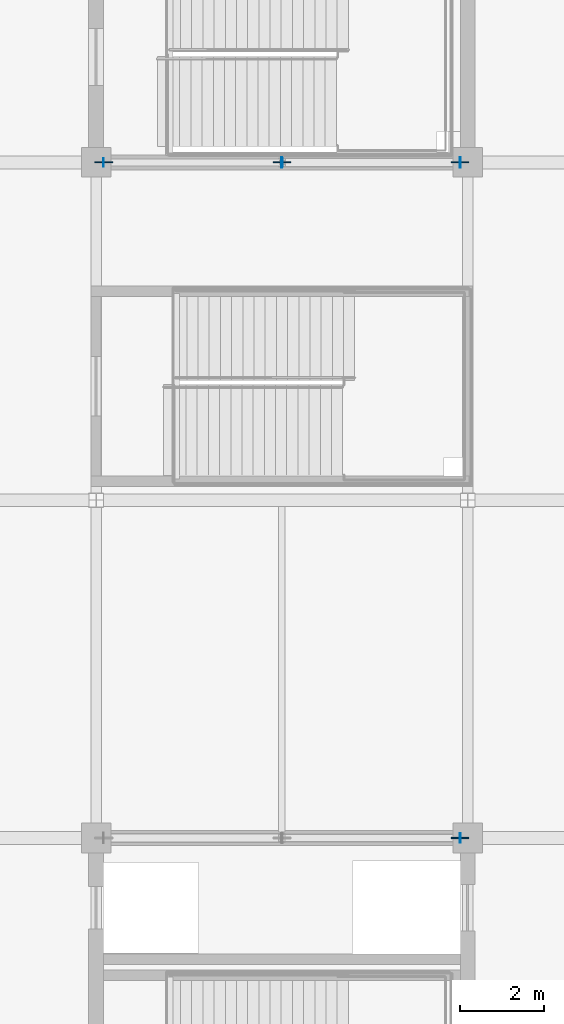
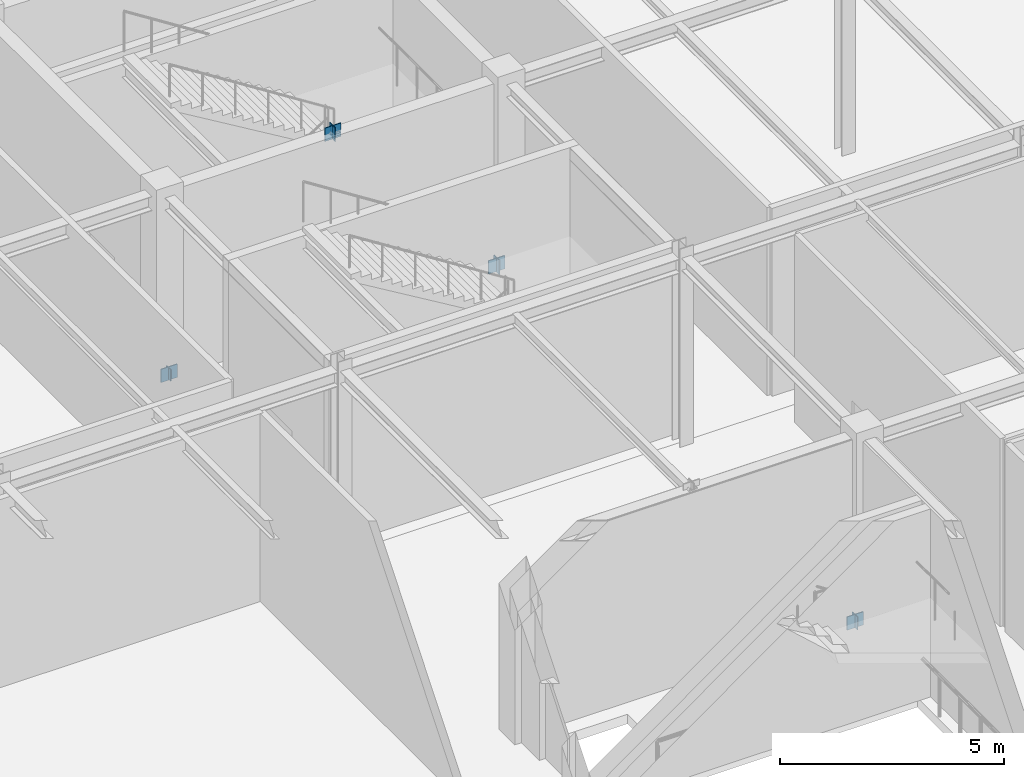
# One storey, part 78 of 108: 9 plates.
"""IFC4 building model written with IfcOpenShell, lengths in metres."""

from ifc_helpers import new_model, si_unit, direction, frame, origin, origin_2d, place, context, subcontext, project, spatial, rectangle, extrude, material, layer, layer_set, type_object, element, save


model = new_model("IFC4")

# Units and contexts
model_context = context("Model", 3, precision=1e-05, world=origin(), true_north=direction((0.0, 1.0)))
body_context = subcontext(model_context, "Body", "Model", "MODEL_VIEW")
ifc_project = project(units=[si_unit("LENGTHUNIT", "METRE"), si_unit("AREAUNIT", "SQUARE_METRE"), si_unit("VOLUMEUNIT", "CUBIC_METRE"), si_unit("PLANEANGLEUNIT", "RADIAN"), si_unit("MASSUNIT", "GRAM", prefix="KILO")], contexts=[model_context])

# Site, building, storey
site_placement = place(None, origin())
site = spatial("IfcSite", under=ifc_project, at=site_placement, CompositionType="ELEMENT")
building_placement = place(site_placement, origin())
building = spatial("IfcBuilding", under=site, at=building_placement, Name="Zhaolan Boulevard Law Courts", CompositionType="ELEMENT")
storey_placement = place(building_placement, frame((0.0, 0.0, 10.800048828125)))
storey = spatial("IfcBuildingStorey", under=building, at=storey_placement, Name="L02", CompositionType="ELEMENT", Elevation=10.800048828125)

# Plates
ifc_material_1 = material(Name="Structural steel Q355B", Category="steel")
ifc_layer_1 = layer(ifc_material_1, 0.02392578125)
ifc_layer_set_1 = layer_set([ifc_layer_1])
plate_type_1 = type_object("IfcPlateType", Name="BRACE GUSSET PLATE 24", PredefinedType="SHEET", material=ifc_layer_set_1)
for number, where, z_axis, x_axis, name in (
    (1, (26.219970703125, 70.0, -0.14990234375), (0.0, 0.0, 1.0), (1.0, 0.0, 0.0), "Brace Gusset Connection Plate GP-W2-L02-NA2"),
    (2, (17.780029296875, 86.0, -0.14990234375), (0.0, 0.0, 1.0), (1.0, 0.0, 0.0), "Brace Gusset Connection Plate GP-L1-L02-SA1"),
    (3, (26.219970703125, 86.0, -0.14990234375), (0.0, 0.0, 1.0), (1.0, 0.0, 0.0), "Brace Gusset Connection Plate GP-L1-L02-SA2"),
    (4, (22.0, 86.0, 4.93994140625), (0.0, 0.0, 1.0), (1.0, 0.0, 0.0), "Brace Gusset Connection Plate GP-L1-L02-SAPX"),
):
    element("IfcPlate", number, at=place(storey_placement, frame(where, z_axis=z_axis, x_axis=x_axis)), inside=storey, type_object=plate_type_1, Name=name, PredefinedType="SHEET", context=body_context, shape_type="SweptSolid", body=[
        extrude(rectangle(XDim=0.419921875, YDim=0.02392578125, at=origin_2d()), origin(), (0.0, 0.0, 1.0), 0.360107421875),
    ])
ifc_material_2 = material(Name="Structural steel Q355B", Category="steel")
ifc_layer_2 = layer(ifc_material_2, 0.02001953125)
ifc_layer_set_2 = layer_set([ifc_layer_2])
plate_type_2 = type_object("IfcPlateType", Name="END CAP PLATE 20", PredefinedType="SHEET", material=ifc_layer_set_2)
plate_placement = place(storey_placement, frame((26.22509765625, 70.0, -0.15625), z_axis=(0.0, 0.0, 1.0), x_axis=(-1.0, 0.0, 0.0)))
element("IfcPlate", 5, at=plate_placement, inside=storey, type_object=plate_type_2, Name="Hollow Section End-Cap Plate ECP-1161", PredefinedType="SHEET", context=body_context, shape_type="SweptSolid", body=[
    extrude(rectangle(XDim=0.02001953125, YDim=0.22998046875, at=origin_2d()), origin(), (0.0, 0.0, 1.0), 0.360107421875),
])
for number, where, z_axis, x_axis, name in (
    (6, (17.77490234375, 86.0, -0.13134765625), (0.0, 0.0, 1.0), (1.0, 0.0, 0.0), "Hollow Section End-Cap Plate ECP-1363"),
    (7, (22.005126953125, 86.0, 4.97119140625), (0.0, 0.0, 1.0), (1.0, 0.0, 0.0), "Hollow Section End-Cap Plate ECP-1364"),
):
    element("IfcPlate", number, at=place(storey_placement, frame(where, z_axis=z_axis, x_axis=x_axis)), inside=storey, type_object=plate_type_2, Name=name, PredefinedType="SHEET", context=body_context, shape_type="SweptSolid", body=[
        extrude(rectangle(XDim=0.02001953125, YDim=0.197998046875, at=origin_2d()), origin(), (0.0, 0.0, 1.0), 0.31005859375),
    ])
for number, where, z_axis, x_axis, name in (
    (8, (26.22509765625, 86.0, -0.17236328125), (0.0, 0.0, 1.0), (-1.0, 0.0, 0.0), "Hollow Section End-Cap Plate ECP-1365"),
    (9, (21.994873046875, 86.0, 4.93017578125), (0.0, 0.0, 1.0), (-1.0, 0.0, 0.0), "Hollow Section End-Cap Plate ECP-1366"),
):
    element("IfcPlate", number, at=place(storey_placement, frame(where, z_axis=z_axis, x_axis=x_axis)), inside=storey, type_object=plate_type_2, Name=name, PredefinedType="SHEET", context=body_context, shape_type="SweptSolid", body=[
        extrude(rectangle(XDim=0.02001953125, YDim=0.25, at=origin_2d()), origin(), (0.0, 0.0, 1.0), 0.39208984375),
    ])

save(model, "model.ifc")
